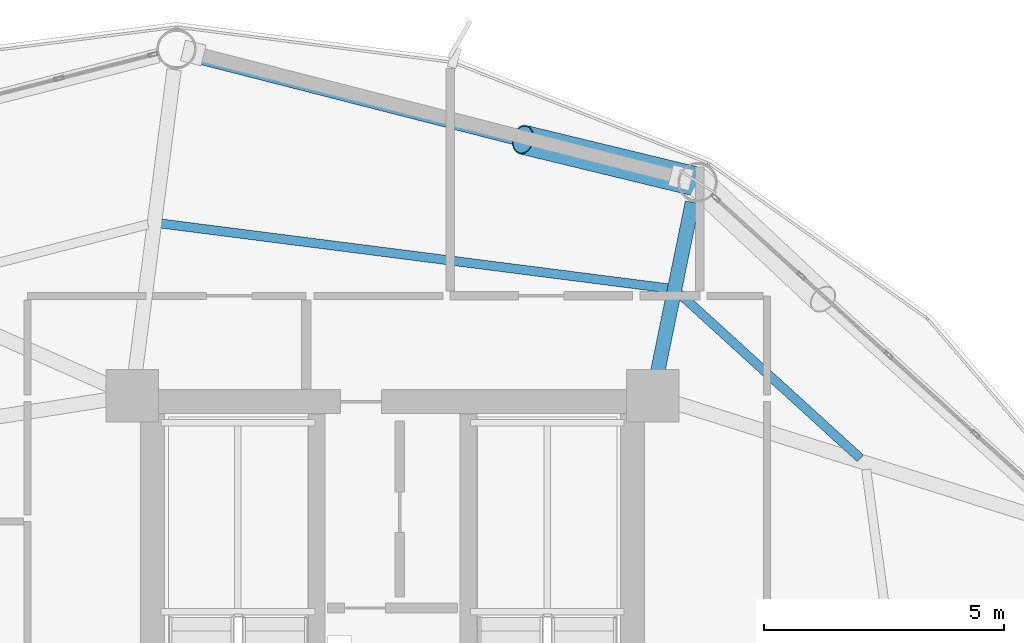
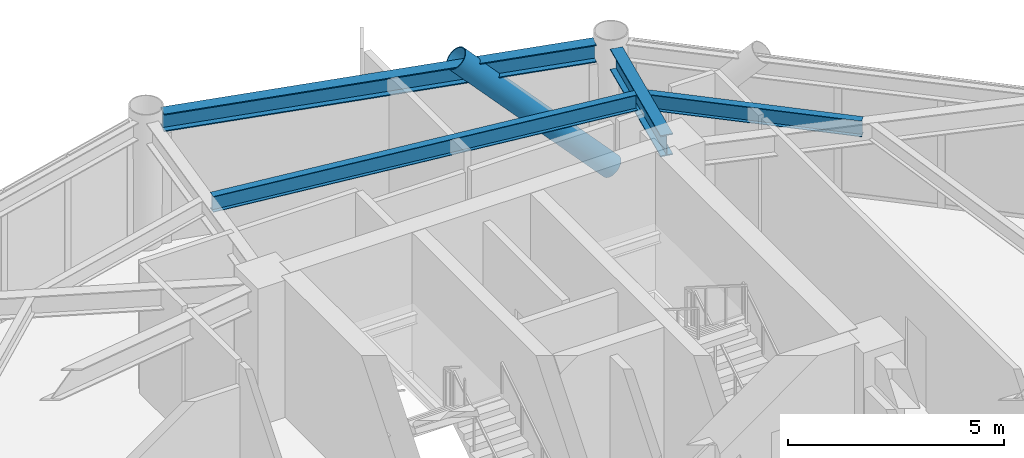
# One storey, part 18 of 26: 4 beams, 1 member.
"""IFC4 building model written with IfcOpenShell, lengths in metres."""

from ifc_helpers import new_model, si_unit, direction, frame, origin, origin_2d, place, context, subcontext, project, spatial, hollow_circle, i_section, extrude, material, material_profile, profile_set, type_object, element, save


model = new_model("IFC4")

# Units and contexts
model_context = context("Model", 3, precision=1e-05, world=origin(), true_north=direction((0.0, 1.0)))
body_context = subcontext(model_context, "Body", "Model", "MODEL_VIEW")
ifc_project = project(units=[si_unit("LENGTHUNIT", "METRE"), si_unit("AREAUNIT", "SQUARE_METRE"), si_unit("VOLUMEUNIT", "CUBIC_METRE"), si_unit("PLANEANGLEUNIT", "RADIAN"), si_unit("MASSUNIT", "GRAM", prefix="KILO")], contexts=[model_context])

# Site, building, storey
site_placement = place(None, origin())
site = spatial("IfcSite", under=ifc_project, at=site_placement, CompositionType="ELEMENT")
building_placement = place(site_placement, origin())
building = spatial("IfcBuilding", under=site, at=building_placement, Name="Varnakorn Sky Granary", CompositionType="ELEMENT")
storey_placement = place(building_placement, frame((0.0, 0.0, 87.60009765625)))
storey = spatial("IfcBuildingStorey", under=building, at=storey_placement, Name="L21", CompositionType="ELEMENT", Elevation=87.60009765625)

# Beams
ifc_material_1 = material(Name="Steel S355JR", Category="steel")
ifc_material_profile_1 = material_profile(ifc_material_1, i_section(OverallWidth=0.300048828125, OverallDepth=0.60009765625, WebThickness=0.015380859375, FlangeThickness=0.030029296875, at=origin_2d()), Name="HE 600 B")
ifc_profile_set_1 = profile_set([ifc_material_profile_1], Name="Steel S355JR")
beam_type_1 = type_object("IfcBeamType", Name="BM-RAD-Z2", PredefinedType="BEAM", material=ifc_profile_set_1)
beam_1_placement = place(storey_placement, frame((8.50439453125, 13.031494140625, 3.33984375), z_axis=(0.200678940919, 0.979657063809, 0.0), x_axis=(-0.979657063809, 0.200678940919, 0.0)))
element("IfcBeam", 1, at=beam_1_placement, inside=storey, type_object=beam_type_1, Name="Radial Floor Girder RG03 L21", PredefinedType="BEAM", context=body_context, shape_type="SweptSolid", body=[
    extrude(i_section(OverallWidth=0.300048828125, OverallDepth=0.60009765625, WebThickness=0.015380859375, FlangeThickness=0.030029296875, at=origin_2d()), origin(), (0.0, 0.0, 1.0), 3.6923828125),
])
ifc_material_profile_2 = material_profile(ifc_material_1, i_section(OverallWidth=0.18994140625, OverallDepth=0.449951171875, WebThickness=0.009521484375, FlangeThickness=0.0146484375, at=origin_2d()), Name="IPE 450")
ifc_profile_set_2 = profile_set([ifc_material_profile_2], Name="Steel S355JR")
beam_type_2 = type_object("IfcBeamType", Name="BM-SEC-Z2", PredefinedType="BEAM", material=ifc_profile_set_2)
beam_2_placement = place(storey_placement, frame((12.743896484375, 11.316650390625, 3.414794921875), z_axis=(-0.739341103031, 0.67333107263, 0.0), x_axis=(-0.67333107263, -0.739341103031, 0.0)))
element("IfcBeam", 2, at=beam_2_placement, inside=storey, type_object=beam_type_2, Name="Secondary Floor Chord Beam MSB02 L21", PredefinedType="BEAM", context=body_context, shape_type="SweptSolid", body=[
    extrude(i_section(OverallWidth=0.18994140625, OverallDepth=0.449951171875, WebThickness=0.009521484375, FlangeThickness=0.0146484375, at=origin_2d()), origin(), (0.0, 0.0, 1.0), 5.0927734375),
])
beam_3_placement = place(storey_placement, frame((8.736083984375, 14.85791015625, 3.414794921875), z_axis=(-0.991924865887, 0.126826891607, 0.0), x_axis=(-0.126826891607, -0.991924865887, 0.0)))
element("IfcBeam", 3, at=beam_3_placement, inside=storey, type_object=beam_type_2, Name="Secondary Floor Chord Beam MSB03 L21", PredefinedType="BEAM", context=body_context, shape_type="SweptSolid", body=[
    extrude(i_section(OverallWidth=0.18994140625, OverallDepth=0.449951171875, WebThickness=0.009521484375, FlangeThickness=0.0146484375, at=origin_2d()), origin(), (0.0, 0.0, 1.0), 10.641357421875),
])
ifc_material_profile_3 = material_profile(ifc_material_1, i_section(OverallWidth=0.300048828125, OverallDepth=0.5, WebThickness=0.014404296875, FlangeThickness=0.028076171875, at=origin_2d()), Name="HE 500 B")
ifc_profile_set_3 = profile_set([ifc_material_profile_3], Name="Steel S355JR")
beam_type_3 = type_object("IfcBeamType", Name="BM-SPD-Z2", PredefinedType="SPANDREL", material=ifc_profile_set_3)
beam_4_placement = place(storey_placement, frame((8.944580078125, 17.129150390625, 3.389892578125), z_axis=(-0.968782625978, 0.247911725424, 0.0), x_axis=(-0.247911725424, -0.968782625978, 0.0)))
element("IfcBeam", 4, at=beam_4_placement, inside=storey, type_object=beam_type_3, Name="Perimeter Spandrel Ring Beam RB03 L21", PredefinedType="SPANDREL", context=body_context, shape_type="SweptSolid", body=[
    extrude(i_section(OverallWidth=0.300048828125, OverallDepth=0.5, WebThickness=0.014404296875, FlangeThickness=0.028076171875, at=origin_2d()), origin(), (0.0, 0.0, 1.0), 10.389404296875),
])

# Member
ifc_material_2 = material(Name="Steel S460M", Category="steel")
ifc_material_profile_4 = material_profile(ifc_material_2, hollow_circle(Radius=0.304931640625, WallThickness=0.022216796875, at=origin_2d()), Name="CHS 610x22")
ifc_profile_set_4 = profile_set([ifc_material_profile_4], Name="Steel S460M")
member_type = type_object("IfcMemberType", Name="MB-DIAG-T1", PredefinedType="BRACE", material=ifc_profile_set_4)
member_placement = place(storey_placement, frame((9.357421875, 17.07373046875, 0.0), z_axis=(-0.683297765195, 0.165429985258, 0.711151941611), x_axis=(-0.235307200809, -0.971921046818, 0.0)))
element("IfcMember", 5, at=member_placement, inside=storey, type_object=member_type, Name="Perimeter CHS Diagrid Brace DG03 L21", PredefinedType="BRACE", context=body_context, shape_type="SweptSolid", body=[
    extrude(hollow_circle(Radius=0.304931640625, WallThickness=0.022216796875, at=origin_2d()), origin(), (0.0, 0.0, 1.0), 5.3291015625),
])

save(model, "model.ifc")
